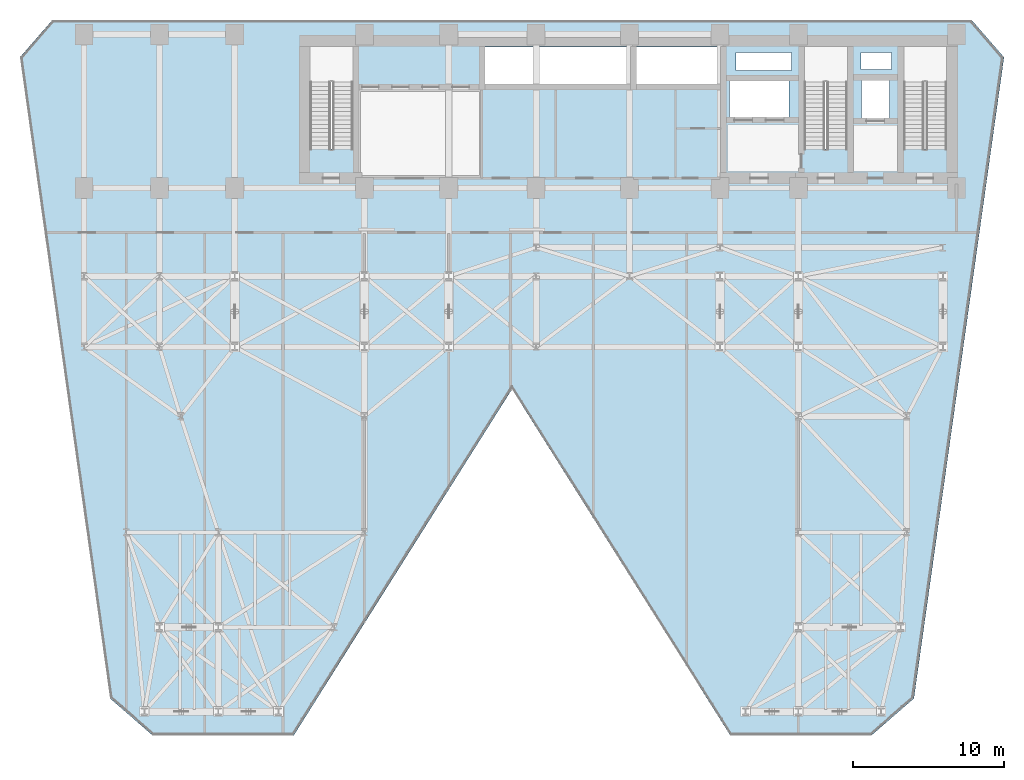
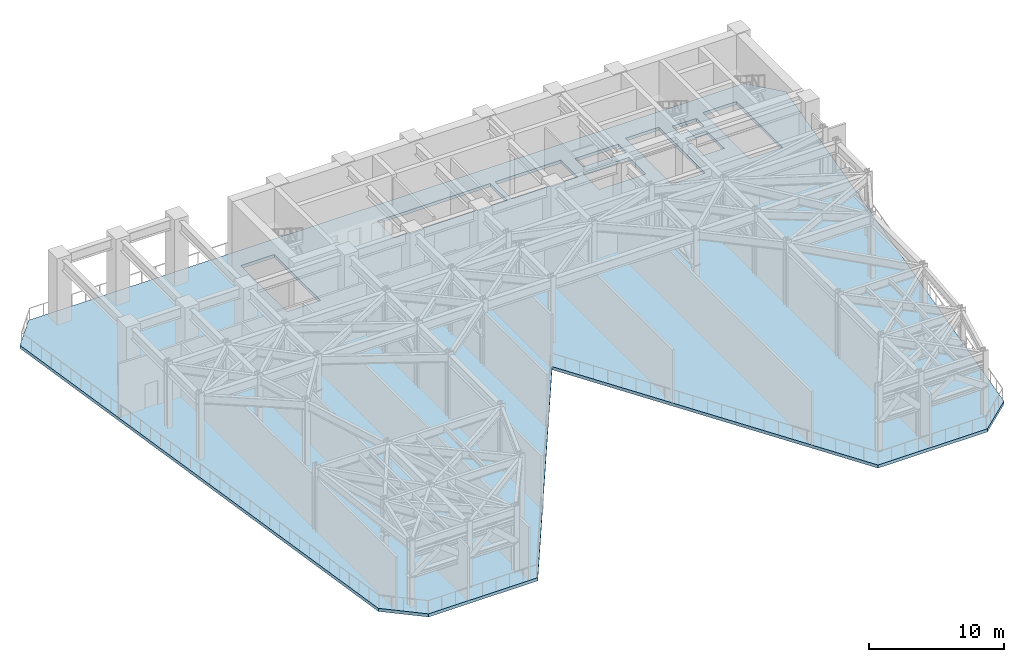
# One storey, part 5 of 12: 1 slab.
"""IFC4 building model written with IfcOpenShell, lengths in metres."""

from ifc_helpers import new_model, si_unit, direction, frame, origin, place, context, subcontext, project, spatial, polyline, outline, extrude, material, layer, layer_set, type_object, element, save


model = new_model("IFC4")

# Units and contexts
model_context = context("Model", 3, precision=1e-05, world=origin(), true_north=direction((0.0, 1.0)))
body_context = subcontext(model_context, "Body", "Model", "MODEL_VIEW")
ifc_project = project(units=[si_unit("LENGTHUNIT", "METRE"), si_unit("AREAUNIT", "SQUARE_METRE"), si_unit("VOLUMEUNIT", "CUBIC_METRE"), si_unit("PLANEANGLEUNIT", "RADIAN"), si_unit("MASSUNIT", "GRAM", prefix="KILO")], contexts=[model_context])

# Site, building, storey
site_placement = place(None, origin())
site = spatial("IfcSite", under=ifc_project, at=site_placement, CompositionType="ELEMENT")
building_placement = place(site_placement, origin())
building = spatial("IfcBuilding", under=site, at=building_placement, Name="Kravanh Interchange Tower", CompositionType="ELEMENT")
storey_placement = place(building_placement, frame((0.0, 0.0, 85.5)))
storey = spatial("IfcBuildingStorey", under=building, at=storey_placement, Name="L20", CompositionType="ELEMENT", Elevation=85.5)

# Slab
ifc_material = material(Name="Concrete C60/75", Category="concrete")
ifc_layer = layer(ifc_material, 0.280029296875)
ifc_layer_set = layer_set([ifc_layer], Name="Composite Floor Slab Concrete C60/75 280mm")
slab_type = type_object("IfcSlabType", Name="Composite Floor Slab Concrete C60/75 280mm", PredefinedType="FLOOR", material=ifc_layer_set)
slab_placement = place(storey_placement, frame((0.0, 0.0, -0.280029296875)))
element("IfcSlab", 1, at=slab_placement, inside=storey, type_object=slab_type, Name="L20 Structural Floor Slab", PredefinedType="FLOOR", context=body_context, shape_type="SweptSolid", body=[
    extrude(outline(polyline([(10.327880859375, 3.4755859375), (13.17578125, 1.0), (22.5, 1.0), (37.0, 24.0), (51.5, 1.0), (60.82421875, 1.0), (63.672119140625, 3.4755859375), (69.652099609375, 46.0244140625), (67.5, 48.5), (6.5, 48.5), (4.347900390625, 46.0244140625), (10.327880859375, 3.4755859375)]), holes=[polyline([(65.85009765625, 39.925048828125), (65.85009765625, 46.75), (63.0, 46.75), (63.0, 39.925048828125), (65.85009765625, 39.925048828125)]), polyline([(59.25, 39.925048828125), (59.25, 46.75), (56.39990234375, 46.75), (56.39990234375, 39.925048828125), (59.25, 39.925048828125)]), polyline([(26.449951171875, 39.925048828125), (26.449951171875, 46.75), (23.60009765625, 46.75), (23.60009765625, 39.925048828125), (26.449951171875, 39.925048828125)]), polyline([(35.179931640625, 44.219970703125), (44.840087890625, 44.219970703125), (44.840087890625, 46.699951171875), (35.179931640625, 46.699951171875), (35.179931640625, 44.219970703125)]), polyline([(45.239990234375, 44.219970703125), (50.840087890625, 44.219970703125), (50.840087890625, 46.699951171875), (45.239990234375, 46.699951171875), (45.239990234375, 44.219970703125)]), polyline([(51.419921875, 42.02001953125), (55.3798828125, 42.02001953125), (55.3798828125, 44.47998046875), (51.419921875, 44.47998046875), (51.419921875, 42.02001953125)]), polyline([(60.179931640625, 41.97998046875), (62.06005859375, 41.97998046875), (62.06005859375, 44.52001953125), (60.179931640625, 44.52001953125), (60.179931640625, 41.97998046875)]), polyline([(60.14990234375, 45.199951171875), (62.199951171875, 45.199951171875), (62.199951171875, 46.35009765625), (60.14990234375, 46.35009765625), (60.14990234375, 45.199951171875)]), polyline([(51.85009765625, 45.14990234375), (55.550048828125, 45.14990234375), (55.550048828125, 46.35009765625), (51.85009765625, 46.35009765625), (51.85009765625, 45.14990234375)])]), origin(), (0.0, 0.0, 1.0), 0.280029296875),
])

save(model, "model.ifc")
